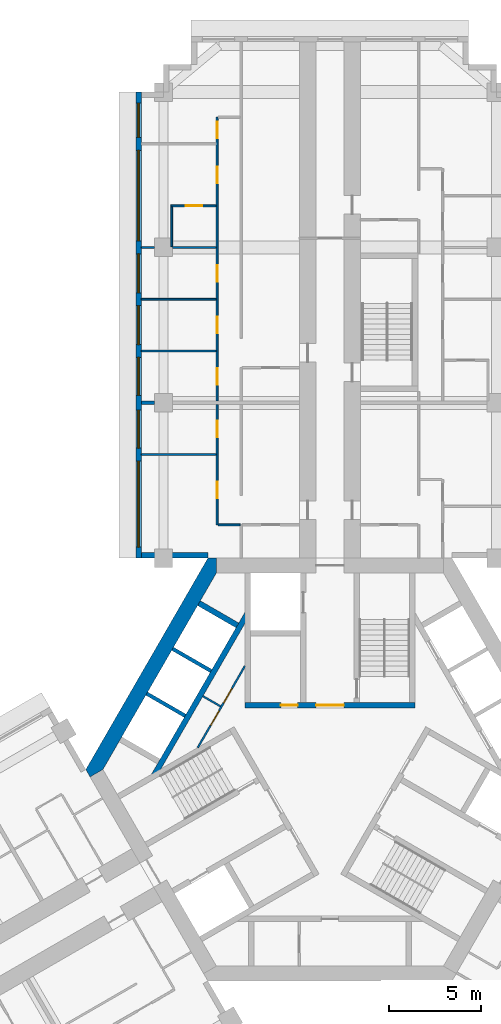
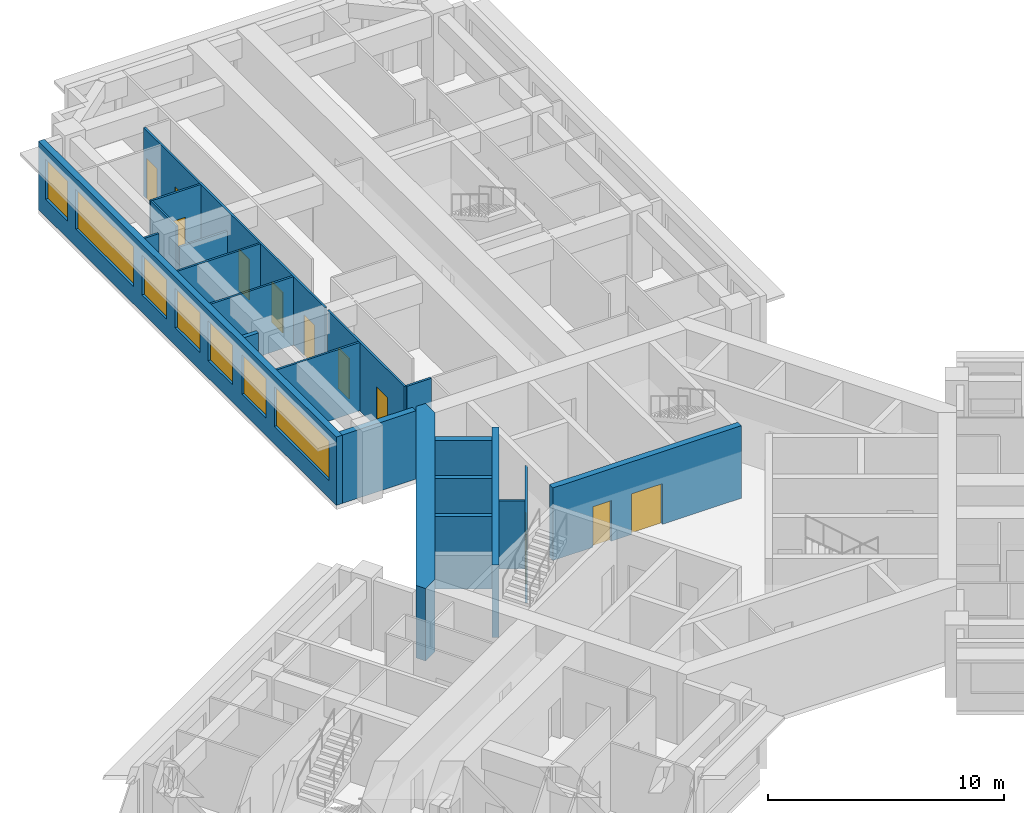
# One storey, part 8 of 14: 21 walls, 12 doors, 7 windows, 19 openings.
"""IFC4 building model written with IfcOpenShell, lengths in metres."""

from ifc_helpers import new_model, si_unit, direction, frame, frame_2d, origin, place, context, subcontext, project, spatial, polyline, rectangle, outline, extrude, material, layer, layer_set, type_object, element, fill, save


model = new_model("IFC4")

# Units and contexts
model_context = context("Model", 3, precision=1e-05, world=origin(), true_north=direction((0.0, 1.0)))
body_context = subcontext(model_context, "Body", "Model", "MODEL_VIEW")
ifc_project = project(units=[si_unit("LENGTHUNIT", "METRE"), si_unit("AREAUNIT", "SQUARE_METRE"), si_unit("VOLUMEUNIT", "CUBIC_METRE"), si_unit("PLANEANGLEUNIT", "RADIAN"), si_unit("MASSUNIT", "GRAM", prefix="KILO")], contexts=[model_context])

# Site, building, storey
site_placement = place(None, origin())
site = spatial("IfcSite", under=ifc_project, at=site_placement, CompositionType="ELEMENT")
building_placement = place(site_placement, origin())
building = spatial("IfcBuilding", under=site, at=building_placement, Name="Impinga Residences", CompositionType="ELEMENT")
storey_placement = place(building_placement, frame((0.0, 0.0, 154.75)))
storey = spatial("IfcBuildingStorey", under=building, at=storey_placement, Name="L38", CompositionType="ELEMENT", Elevation=154.75)

# Wall, openings, doors
ifc_material_1 = material(Name="Concrete blockwork", Category="masonry")
ifc_layer_1 = layer(ifc_material_1, 0.10009765625)
ifc_layer_set_1 = layer_set([ifc_layer_1], Name="CP1 core room partition, blockwork 100")
wall_type_1 = type_object("IfcWallType", Name="CP1 core room partition, blockwork 100", PredefinedType="PARTITIONING", material=ifc_layer_set_1)
wall_1_placement = place(storey_placement, frame((-7.14599609375, 1.185791015625, 0.0), z_axis=(0.0, 0.0, 1.0), x_axis=(0.499975622669, 0.866039477586, 0.0)))
wall_1 = element("IfcWall", 1, at=wall_1_placement, inside=storey, type_object=wall_type_1, Name="Core room partition, blockwork L38:CORE:high:FP", PredefinedType="PARTITIONING", context=body_context, shape_type="SweptSolid", body=[
    extrude(rectangle(XDim=5.092041015625, YDim=0.10009765625, at=frame_2d((2.5458984375, 0.0))), origin(), (0.0, 0.0, 1.0), 3.530029296875),
])
opening_1_placement = place(wall_1_placement, frame((1.39599609375, 0.0, 0.0)))
opening_1 = element("IfcOpeningElement", 2, at=opening_1_placement, cuts=wall_1, Name="Opening D6", PredefinedType="OPENING", context=body_context, shape_type="SweptSolid", body=[
    extrude(rectangle(XDim=0.89990234375, YDim=2.10009765625, at=frame_2d((0.449951171875, 1.050048828125))), frame((0.0, 0.06005859375, 0.0), z_axis=(0.0, -1.0, 0.0), x_axis=(1.0, 0.0, 0.0)), (0.0, 0.0, 1.0), 0.1201171875),
])
opening_2_placement = place(wall_1_placement, frame((2.7958984375, 0.0, 0.0)))
opening_2 = element("IfcOpeningElement", 3, at=opening_2_placement, cuts=wall_1, Name="Opening D6", PredefinedType="OPENING", context=body_context, shape_type="SweptSolid", body=[
    extrude(rectangle(XDim=0.89990234375, YDim=2.10009765625, at=frame_2d((0.449951171875, 1.050048828125))), frame((0.0, 0.06005859375, 0.0), z_axis=(0.0, -1.0, 0.0), x_axis=(1.0, 0.0, 0.0)), (0.0, 0.0, 1.0), 0.1201171875),
])
ifc_material_2 = material(Name="Timber door set", Category="wood")
door_type_1 = type_object("IfcDoorType", Name="D6 riser and store door 900x2100", OperationType="SINGLE_SWING_LEFT", PredefinedType="DOOR", material=ifc_material_2)
door_1_placement = place(opening_1_placement, origin())
door_1 = element("IfcDoor", 4, at=door_1_placement, inside=storey, type_object=door_type_1, Name="Housekeeping store door", OperationType="SINGLE_SWING_LEFT", OverallHeight=2.10009765625, OverallWidth=0.89990234375, PredefinedType="DOOR", context=body_context, shape_type="SweptSolid", body=[
    extrude(rectangle(XDim=0.89990234375, YDim=2.10009765625, at=frame_2d((0.449951171875, 1.050048828125))), frame((0.0, 0.02490234375, 0.0), z_axis=(0.0, -1.0, 0.0), x_axis=(1.0, 0.0, 0.0)), (0.0, 0.0, 1.0), 0.050048828125),
])
fill(opening_1, door_1)
door_2_placement = place(opening_2_placement, origin())
door_2 = element("IfcDoor", 5, at=door_2_placement, inside=storey, type_object=door_type_1, Name="Linen store door", OperationType="SINGLE_SWING_RIGHT", OverallHeight=2.10009765625, OverallWidth=0.89990234375, PredefinedType="DOOR", context=body_context, shape_type="SweptSolid", body=[
    extrude(rectangle(XDim=0.89990234375, YDim=2.10009765625, at=frame_2d((0.449951171875, 1.050048828125))), frame((0.0, 0.02490234375, 0.0), z_axis=(0.0, -1.0, 0.0), x_axis=(1.0, 0.0, 0.0)), (0.0, 0.0, 1.0), 0.050048828125),
])
fill(opening_2, door_2)

# Walls
wall_2_placement = place(storey_placement, frame((-5.916259765625, 3.415771484375, 0.0), z_axis=(0.0, 0.0, 1.0), x_axis=(-0.866008176907, 0.50002983664, 0.0)))
element("IfcWall", 6, at=wall_2_placement, inside=storey, type_object=wall_type_1, Name="Core room partition, blockwork L38:CORE:high:FS", PredefinedType="PARTITIONING", context=body_context, shape_type="SweptSolid", body=[
    extrude(rectangle(XDim=1.10009765625, YDim=0.10009765625, at=frame_2d((0.550048828125, 0.0))), origin(), (0.0, 0.0, 1.0), 3.530029296875),
])
ifc_material_3 = material(Name="Terracotta rainscreen on blockwork", Category="masonry")
ifc_layer_2 = layer(ifc_material_3, 0.300048828125)
ifc_layer_set_2 = layer_set([ifc_layer_2], Name="EW1 external wall, terracotta rainscreen on blockwork 300")
wall_type_2 = type_object("IfcWallType", Name="EW1 external wall, terracotta rainscreen on blockwork 300", PredefinedType="SOLIDWALL", material=ifc_layer_set_2)
wall_3_placement = place(storey_placement, frame((-6.60009765625, 11.58154296875, 0.0), z_axis=(0.0, 0.0, 1.0), x_axis=(-1.0, 0.0, 0.0)))
element("IfcWall", 7, at=wall_3_placement, inside=storey, type_object=wall_type_2, Name="External wall EW1 L38", PredefinedType="SOLIDWALL", context=body_context, shape_type="SweptSolid", body=[
    extrude(rectangle(XDim=3.599853515625, YDim=0.300048828125, at=frame_2d((1.7998046875, 0.0))), origin(), (0.0, 0.0, 1.0), 3.530029296875),
])

# Wall, openings, windows
wall_4_placement = place(storey_placement, frame((-10.35009765625, 11.431640625, 0.0), z_axis=(0.0, 0.0, 1.0), x_axis=(0.0, 1.0, 0.0)))
wall_4 = element("IfcWall", 8, at=wall_4_placement, inside=storey, type_object=wall_type_2, Name="External wall EW1 L38", PredefinedType="SOLIDWALL", context=body_context, shape_type="SweptSolid", body=[
    extrude(rectangle(XDim=25.199951171875, YDim=0.300048828125, at=frame_2d((12.60009765625, 0.0))), origin(), (0.0, 0.0, 1.0), 3.530029296875),
])
opening_3_placement = place(wall_4_placement, frame((0.60009765625, 0.0, 0.89990234375)))
opening_3 = element("IfcOpeningElement", 9, at=opening_3_placement, cuts=wall_4, Name="Opening W10", PredefinedType="OPENING", context=body_context, shape_type="SweptSolid", body=[
    extrude(rectangle(XDim=4.64990234375, YDim=2.050048828125, at=frame_2d((2.324951171875, 1.02490234375))), frame((0.0, 0.159912109375, 0.0), z_axis=(0.0, -1.0, 0.0), x_axis=(1.0, 0.0, 0.0)), (0.0, 0.0, 1.0), 0.320068359375),
])
opening_4_placement = place(wall_4_placement, frame((5.949951171875, 0.0, 0.89990234375)))
opening_4 = element("IfcOpeningElement", 10, at=opening_4_placement, cuts=wall_4, Name="Opening W14", PredefinedType="OPENING", context=body_context, shape_type="SweptSolid", body=[
    extrude(rectangle(XDim=2.050048828125, YDim=2.050048828125, at=frame_2d((1.02490234375, 1.02490234375))), frame((0.0, 0.159912109375, 0.0), z_axis=(0.0, -1.0, 0.0), x_axis=(1.0, 0.0, 0.0)), (0.0, 0.0, 1.0), 0.320068359375),
])
opening_5_placement = place(wall_4_placement, frame((8.800048828125, 0.0, 0.89990234375)))
opening_5 = element("IfcOpeningElement", 11, at=opening_5_placement, cuts=wall_4, Name="Opening W14", PredefinedType="OPENING", context=body_context, shape_type="SweptSolid", body=[
    extrude(rectangle(XDim=2.050048828125, YDim=2.050048828125, at=frame_2d((1.02490234375, 1.02490234375))), frame((0.0, 0.159912109375, 0.0), z_axis=(0.0, -1.0, 0.0), x_axis=(1.0, 0.0, 0.0)), (0.0, 0.0, 1.0), 0.320068359375),
])
opening_6_placement = place(wall_4_placement, frame((11.550048828125, 0.0, 0.89990234375)))
opening_6 = element("IfcOpeningElement", 12, at=opening_6_placement, cuts=wall_4, Name="Opening W9", PredefinedType="OPENING", context=body_context, shape_type="SweptSolid", body=[
    extrude(rectangle(XDim=2.10009765625, YDim=2.050048828125, at=frame_2d((1.050048828125, 1.02490234375))), frame((0.0, 0.159912109375, 0.0), z_axis=(0.0, -1.0, 0.0), x_axis=(1.0, 0.0, 0.0)), (0.0, 0.0, 1.0), 0.320068359375),
])
opening_7_placement = place(wall_4_placement, frame((14.35009765625, 0.0, 0.89990234375)))
opening_7 = element("IfcOpeningElement", 13, at=opening_7_placement, cuts=wall_4, Name="Opening W9", PredefinedType="OPENING", context=body_context, shape_type="SweptSolid", body=[
    extrude(rectangle(XDim=2.10009765625, YDim=2.050048828125, at=frame_2d((1.050048828125, 1.02490234375))), frame((0.0, 0.159912109375, 0.0), z_axis=(0.0, -1.0, 0.0), x_axis=(1.0, 0.0, 0.0)), (0.0, 0.0, 1.0), 0.320068359375),
])
opening_8_placement = place(wall_4_placement, frame((17.14990234375, 0.0, 0.89990234375)))
opening_8 = element("IfcOpeningElement", 14, at=opening_8_placement, cuts=wall_4, Name="Opening W16", PredefinedType="OPENING", context=body_context, shape_type="SweptSolid", body=[
    extrude(rectangle(XDim=4.89990234375, YDim=2.050048828125, at=frame_2d((2.449951171875, 1.02490234375))), frame((0.0, 0.159912109375, 0.0), z_axis=(0.0, -1.0, 0.0), x_axis=(1.0, 0.0, 0.0)), (0.0, 0.0, 1.0), 0.320068359375),
])
opening_9_placement = place(wall_4_placement, frame((22.75, 0.0, 0.89990234375)))
opening_9 = element("IfcOpeningElement", 15, at=opening_9_placement, cuts=wall_4, Name="Opening W15", PredefinedType="OPENING", context=body_context, shape_type="SweptSolid", body=[
    extrude(rectangle(XDim=1.85009765625, YDim=2.050048828125, at=frame_2d((0.925048828125, 1.02490234375))), frame((0.0, 0.159912109375, 0.0), z_axis=(0.0, -1.0, 0.0), x_axis=(1.0, 0.0, 0.0)), (0.0, 0.0, 1.0), 0.320068359375),
])
ifc_material_4 = material(Name="Aluminium window, clear double glazing", Category="aluminium")
window_type_1 = type_object("IfcWindowType", Name="W10 ribbon window 4650x2050", PartitioningType="SINGLE_PANEL", PredefinedType="WINDOW", material=ifc_material_4)
window_1_placement = place(opening_3_placement, origin())
window_1 = element("IfcWindow", 16, at=window_1_placement, inside=storey, type_object=window_type_1, Name="Window L38", OverallHeight=2.050048828125, OverallWidth=4.64990234375, PartitioningType="SINGLE_PANEL", PredefinedType="WINDOW", context=body_context, shape_type="SweptSolid", body=[
    extrude(rectangle(XDim=4.64990234375, YDim=2.050048828125, at=frame_2d((2.324951171875, 1.02490234375))), frame((0.0, 0.030029296875, 0.0), z_axis=(0.0, -1.0, 0.0), x_axis=(1.0, 0.0, 0.0)), (0.0, 0.0, 1.0), 0.06005859375),
])
fill(opening_3, window_1)
window_type_2 = type_object("IfcWindowType", Name="W14 ribbon window 2050x2050", PartitioningType="SINGLE_PANEL", PredefinedType="WINDOW", material=ifc_material_4)
window_2_placement = place(opening_4_placement, origin())
window_2 = element("IfcWindow", 17, at=window_2_placement, inside=storey, type_object=window_type_2, Name="Window L38", OverallHeight=2.050048828125, OverallWidth=2.050048828125, PartitioningType="SINGLE_PANEL", PredefinedType="WINDOW", context=body_context, shape_type="SweptSolid", body=[
    extrude(rectangle(XDim=2.050048828125, YDim=2.050048828125, at=frame_2d((1.02490234375, 1.02490234375))), frame((0.0, 0.030029296875, 0.0), z_axis=(0.0, -1.0, 0.0), x_axis=(1.0, 0.0, 0.0)), (0.0, 0.0, 1.0), 0.06005859375),
])
fill(opening_4, window_2)
window_3_placement = place(opening_5_placement, origin())
window_3 = element("IfcWindow", 18, at=window_3_placement, inside=storey, type_object=window_type_2, Name="Window L38", OverallHeight=2.050048828125, OverallWidth=2.050048828125, PartitioningType="SINGLE_PANEL", PredefinedType="WINDOW", context=body_context, shape_type="SweptSolid", body=[
    extrude(rectangle(XDim=2.050048828125, YDim=2.050048828125, at=frame_2d((1.02490234375, 1.02490234375))), frame((0.0, 0.030029296875, 0.0), z_axis=(0.0, -1.0, 0.0), x_axis=(1.0, 0.0, 0.0)), (0.0, 0.0, 1.0), 0.06005859375),
])
fill(opening_5, window_3)
window_type_3 = type_object("IfcWindowType", Name="W15 ribbon window 1850x2050", PartitioningType="SINGLE_PANEL", PredefinedType="WINDOW", material=ifc_material_4)
window_4_placement = place(opening_9_placement, origin())
window_4 = element("IfcWindow", 19, at=window_4_placement, inside=storey, type_object=window_type_3, Name="Window L38", OverallHeight=2.050048828125, OverallWidth=1.85009765625, PartitioningType="SINGLE_PANEL", PredefinedType="WINDOW", context=body_context, shape_type="SweptSolid", body=[
    extrude(rectangle(XDim=1.85009765625, YDim=2.050048828125, at=frame_2d((0.925048828125, 1.02490234375))), frame((0.0, 0.030029296875, 0.0), z_axis=(0.0, -1.0, 0.0), x_axis=(1.0, 0.0, 0.0)), (0.0, 0.0, 1.0), 0.06005859375),
])
fill(opening_9, window_4)
window_type_4 = type_object("IfcWindowType", Name="W16 ribbon window 4900x2050", PartitioningType="SINGLE_PANEL", PredefinedType="WINDOW", material=ifc_material_4)
window_5_placement = place(opening_8_placement, origin())
window_5 = element("IfcWindow", 20, at=window_5_placement, inside=storey, type_object=window_type_4, Name="Window L38", OverallHeight=2.050048828125, OverallWidth=4.89990234375, PartitioningType="SINGLE_PANEL", PredefinedType="WINDOW", context=body_context, shape_type="SweptSolid", body=[
    extrude(rectangle(XDim=4.89990234375, YDim=2.050048828125, at=frame_2d((2.449951171875, 1.02490234375))), frame((0.0, 0.030029296875, 0.0), z_axis=(0.0, -1.0, 0.0), x_axis=(1.0, 0.0, 0.0)), (0.0, 0.0, 1.0), 0.06005859375),
])
fill(opening_8, window_5)
window_type_5 = type_object("IfcWindowType", Name="W9 ribbon window 2100x2050", PartitioningType="SINGLE_PANEL", PredefinedType="WINDOW", material=ifc_material_4)
window_6_placement = place(opening_6_placement, origin())
window_6 = element("IfcWindow", 21, at=window_6_placement, inside=storey, type_object=window_type_5, Name="Window L38", OverallHeight=2.050048828125, OverallWidth=2.10009765625, PartitioningType="SINGLE_PANEL", PredefinedType="WINDOW", context=body_context, shape_type="SweptSolid", body=[
    extrude(rectangle(XDim=2.10009765625, YDim=2.050048828125, at=frame_2d((1.050048828125, 1.02490234375))), frame((0.0, 0.030029296875, 0.0), z_axis=(0.0, -1.0, 0.0), x_axis=(1.0, 0.0, 0.0)), (0.0, 0.0, 1.0), 0.06005859375),
])
fill(opening_6, window_6)
window_7_placement = place(opening_7_placement, origin())
window_7 = element("IfcWindow", 22, at=window_7_placement, inside=storey, type_object=window_type_5, Name="Window L38", OverallHeight=2.050048828125, OverallWidth=2.10009765625, PartitioningType="SINGLE_PANEL", PredefinedType="WINDOW", context=body_context, shape_type="SweptSolid", body=[
    extrude(rectangle(XDim=2.10009765625, YDim=2.050048828125, at=frame_2d((1.050048828125, 1.02490234375))), frame((0.0, 0.030029296875, 0.0), z_axis=(0.0, -1.0, 0.0), x_axis=(1.0, 0.0, 0.0)), (0.0, 0.0, 1.0), 0.06005859375),
])
fill(opening_7, window_7)

# Wall, openings, doors
ifc_material_5 = material(Name="Gypsum board on steel studs", Category="steel")
ifc_layer_3 = layer(ifc_material_5, 0.10009765625)
ifc_layer_set_3 = layer_set([ifc_layer_3], Name="Gypsum board on steel studs")
wall_type_3 = type_object("IfcWallType", Name="IP1 partition 100", PredefinedType="PARTITIONING", material=ifc_layer_set_3)
wall_5_placement = place(storey_placement, frame((-6.10009765625, 13.2314453125, 0.0), z_axis=(0.0, 0.0, 1.0), x_axis=(0.0, 1.0, 0.0)))
wall_5 = element("IfcWall", 23, at=wall_5_placement, inside=storey, type_object=wall_type_3, Name="Partition L38-NA1:STRIP", PredefinedType="PARTITIONING", context=body_context, shape_type="SweptSolid", body=[
    extrude(rectangle(XDim=6.5, YDim=0.10009765625, at=frame_2d((3.25, 0.0))), origin(), (0.0, 0.0, 1.0), 3.530029296875),
])
opening_10_placement = place(wall_5_placement, frame((1.425048828125, 0.0, 0.0)))
opening_10 = element("IfcOpeningElement", 24, at=opening_10_placement, cuts=wall_5, Name="Opening D2", PredefinedType="OPENING", context=body_context, shape_type="SweptSolid", body=[
    extrude(rectangle(XDim=0.89990234375, YDim=2.10009765625, at=frame_2d((0.449951171875, 1.050048828125))), frame((0.0, 0.06005859375, 0.0), z_axis=(0.0, -1.0, 0.0), x_axis=(1.0, 0.0, 0.0)), (0.0, 0.0, 1.0), 0.1201171875),
])
opening_11_placement = place(wall_5_placement, frame((4.72509765625, 0.0, 0.0)))
opening_11 = element("IfcOpeningElement", 25, at=opening_11_placement, cuts=wall_5, Name="Opening D2", PredefinedType="OPENING", context=body_context, shape_type="SweptSolid", body=[
    extrude(rectangle(XDim=0.89990234375, YDim=2.10009765625, at=frame_2d((0.449951171875, 1.050048828125))), frame((0.0, 0.06005859375, 0.0), z_axis=(0.0, -1.0, 0.0), x_axis=(1.0, 0.0, 0.0)), (0.0, 0.0, 1.0), 0.1201171875),
])
door_type_2 = type_object("IfcDoorType", Name="D2 internal door 900x2100", OperationType="SINGLE_SWING_LEFT", PredefinedType="DOOR", material=ifc_material_2)
door_3_placement = place(opening_10_placement, origin())
door_3 = element("IfcDoor", 26, at=door_3_placement, inside=storey, type_object=door_type_2, Name="Apartment L38-NA1 room door", OperationType="SINGLE_SWING_LEFT", OverallHeight=2.10009765625, OverallWidth=0.89990234375, PredefinedType="DOOR", context=body_context, shape_type="SweptSolid", body=[
    extrude(rectangle(XDim=0.89990234375, YDim=2.10009765625, at=frame_2d((0.449951171875, 1.050048828125))), frame((0.0, 0.02490234375, 0.0), z_axis=(0.0, -1.0, 0.0), x_axis=(1.0, 0.0, 0.0)), (0.0, 0.0, 1.0), 0.050048828125),
])
fill(opening_10, door_3)
door_4_placement = place(opening_11_placement, origin())
door_4 = element("IfcDoor", 27, at=door_4_placement, inside=storey, type_object=door_type_2, Name="Apartment L38-NA1 room door", OperationType="SINGLE_SWING_RIGHT", OverallHeight=2.10009765625, OverallWidth=0.89990234375, PredefinedType="DOOR", context=body_context, shape_type="SweptSolid", body=[
    extrude(rectangle(XDim=0.89990234375, YDim=2.10009765625, at=frame_2d((0.449951171875, 1.050048828125))), frame((0.0, 0.02490234375, 0.0), z_axis=(0.0, -1.0, 0.0), x_axis=(1.0, 0.0, 0.0)), (0.0, 0.0, 1.0), 0.050048828125),
])
fill(opening_11, door_4)

# Walls
wall_6_placement = place(storey_placement, frame((-4.85009765625, 13.2314453125, 0.0), z_axis=(0.0, 0.0, 1.0), x_axis=(-1.0, 0.0, 0.0)))
element("IfcWall", 28, at=wall_6_placement, inside=storey, type_object=wall_type_3, Name="Partition L38-NA1:SE0", PredefinedType="PARTITIONING", context=body_context, shape_type="SweptSolid", body=[
    extrude(rectangle(XDim=1.199951171875, YDim=0.10009765625, at=frame_2d((0.60009765625, 0.0))), origin(), (0.0, 0.0, 1.0), 3.530029296875),
])
wall_7_placement = place(storey_placement, frame((-6.14990234375, 17.031494140625, 0.0), z_axis=(0.0, 0.0, 1.0), x_axis=(-1.0, 0.0, 0.0)))
element("IfcWall", 29, at=wall_7_placement, inside=storey, type_object=wall_type_3, Name="Partition L38-NA1:OB1", PredefinedType="PARTITIONING", context=body_context, shape_type="SweptSolid", body=[
    extrude(rectangle(XDim=4.050048828125, YDim=0.10009765625, at=frame_2d((2.02490234375, 0.0))), origin(), (0.0, 0.0, 1.0), 3.530029296875),
])

# Wall, openings, doors
wall_8_placement = place(storey_placement, frame((-6.10009765625, 19.931640625, 0.0), z_axis=(0.0, 0.0, 1.0), x_axis=(0.0, 1.0, 0.0)))
wall_8 = element("IfcWall", 30, at=wall_8_placement, inside=storey, type_object=wall_type_3, Name="Partition L38-NA2:STRIP", PredefinedType="PARTITIONING", context=body_context, shape_type="SweptSolid", body=[
    extrude(rectangle(XDim=15.349853515625, YDim=0.10009765625, at=frame_2d((7.6748046875, 0.0))), origin(), (0.0, 0.0, 1.0), 3.530029296875),
])
opening_12_placement = place(wall_8_placement, frame((0.875, 0.0, 0.0)))
opening_12 = element("IfcOpeningElement", 31, at=opening_12_placement, cuts=wall_8, Name="Opening D2", PredefinedType="OPENING", context=body_context, shape_type="SweptSolid", body=[
    extrude(rectangle(XDim=0.89990234375, YDim=2.10009765625, at=frame_2d((0.449951171875, 1.050048828125))), frame((0.0, 0.06005859375, 0.0), z_axis=(0.0, -1.0, 0.0), x_axis=(1.0, 0.0, 0.0)), (0.0, 0.0, 1.0), 0.1201171875),
])
opening_13_placement = place(wall_8_placement, frame((3.64990234375, 0.0, 0.0)))
opening_13 = element("IfcOpeningElement", 32, at=opening_13_placement, cuts=wall_8, Name="Opening D2", PredefinedType="OPENING", context=body_context, shape_type="SweptSolid", body=[
    extrude(rectangle(XDim=0.89990234375, YDim=2.10009765625, at=frame_2d((0.449951171875, 1.050048828125))), frame((0.0, 0.06005859375, 0.0), z_axis=(0.0, -1.0, 0.0), x_axis=(1.0, 0.0, 0.0)), (0.0, 0.0, 1.0), 0.1201171875),
])
opening_14_placement = place(wall_8_placement, frame((6.449951171875, 0.0, 0.0)))
opening_14 = element("IfcOpeningElement", 33, at=opening_14_placement, cuts=wall_8, Name="Opening D2", PredefinedType="OPENING", context=body_context, shape_type="SweptSolid", body=[
    extrude(rectangle(XDim=0.89990234375, YDim=2.10009765625, at=frame_2d((0.449951171875, 1.050048828125))), frame((0.0, 0.06005859375, 0.0), z_axis=(0.0, -1.0, 0.0), x_axis=(1.0, 0.0, 0.0)), (0.0, 0.0, 1.0), 0.1201171875),
])
opening_15_placement = place(wall_8_placement, frame((11.77490234375, 0.0, 0.0)))
opening_15 = element("IfcOpeningElement", 34, at=opening_15_placement, cuts=wall_8, Name="Opening D2", PredefinedType="OPENING", context=body_context, shape_type="SweptSolid", body=[
    extrude(rectangle(XDim=0.89990234375, YDim=2.10009765625, at=frame_2d((0.449951171875, 1.050048828125))), frame((0.0, 0.06005859375, 0.0), z_axis=(0.0, -1.0, 0.0), x_axis=(1.0, 0.0, 0.0)), (0.0, 0.0, 1.0), 0.1201171875),
])
opening_16_placement = place(wall_8_placement, frame((14.199951171875, 0.0, 0.0)))
opening_16 = element("IfcOpeningElement", 35, at=opening_16_placement, cuts=wall_8, Name="Opening D2", PredefinedType="OPENING", context=body_context, shape_type="SweptSolid", body=[
    extrude(rectangle(XDim=0.89990234375, YDim=2.10009765625, at=frame_2d((0.449951171875, 1.050048828125))), frame((0.0, 0.06005859375, 0.0), z_axis=(0.0, -1.0, 0.0), x_axis=(1.0, 0.0, 0.0)), (0.0, 0.0, 1.0), 0.1201171875),
])
door_5_placement = place(opening_12_placement, origin())
door_5 = element("IfcDoor", 36, at=door_5_placement, inside=storey, type_object=door_type_2, Name="Apartment L38-NA2 room door", OperationType="SINGLE_SWING_LEFT", OverallHeight=2.10009765625, OverallWidth=0.89990234375, PredefinedType="DOOR", context=body_context, shape_type="SweptSolid", body=[
    extrude(rectangle(XDim=0.89990234375, YDim=2.10009765625, at=frame_2d((0.449951171875, 1.050048828125))), frame((0.0, 0.02490234375, 0.0), z_axis=(0.0, -1.0, 0.0), x_axis=(1.0, 0.0, 0.0)), (0.0, 0.0, 1.0), 0.050048828125),
])
fill(opening_12, door_5)
door_6_placement = place(opening_13_placement, origin())
door_6 = element("IfcDoor", 37, at=door_6_placement, inside=storey, type_object=door_type_2, Name="Apartment L38-NA2 room door", OperationType="SINGLE_SWING_LEFT", OverallHeight=2.10009765625, OverallWidth=0.89990234375, PredefinedType="DOOR", context=body_context, shape_type="SweptSolid", body=[
    extrude(rectangle(XDim=0.89990234375, YDim=2.10009765625, at=frame_2d((0.449951171875, 1.050048828125))), frame((0.0, 0.02490234375, 0.0), z_axis=(0.0, -1.0, 0.0), x_axis=(1.0, 0.0, 0.0)), (0.0, 0.0, 1.0), 0.050048828125),
])
fill(opening_13, door_6)
door_7_placement = place(opening_14_placement, origin())
door_7 = element("IfcDoor", 38, at=door_7_placement, inside=storey, type_object=door_type_2, Name="Apartment L38-NA2 room door", OperationType="SINGLE_SWING_LEFT", OverallHeight=2.10009765625, OverallWidth=0.89990234375, PredefinedType="DOOR", context=body_context, shape_type="SweptSolid", body=[
    extrude(rectangle(XDim=0.89990234375, YDim=2.10009765625, at=frame_2d((0.449951171875, 1.050048828125))), frame((0.0, 0.02490234375, 0.0), z_axis=(0.0, -1.0, 0.0), x_axis=(1.0, 0.0, 0.0)), (0.0, 0.0, 1.0), 0.050048828125),
])
fill(opening_14, door_7)
door_8_placement = place(opening_15_placement, origin())
door_8 = element("IfcDoor", 39, at=door_8_placement, inside=storey, type_object=door_type_2, Name="Apartment L38-NA2 room door", OperationType="SINGLE_SWING_RIGHT", OverallHeight=2.10009765625, OverallWidth=0.89990234375, PredefinedType="DOOR", context=body_context, shape_type="SweptSolid", body=[
    extrude(rectangle(XDim=0.89990234375, YDim=2.10009765625, at=frame_2d((0.449951171875, 1.050048828125))), frame((0.0, 0.02490234375, 0.0), z_axis=(0.0, -1.0, 0.0), x_axis=(1.0, 0.0, 0.0)), (0.0, 0.0, 1.0), 0.050048828125),
])
fill(opening_15, door_8)
door_9_placement = place(opening_16_placement, origin())
door_9 = element("IfcDoor", 40, at=door_9_placement, inside=storey, type_object=door_type_2, Name="Apartment L38-NA2 room door", OperationType="SINGLE_SWING_RIGHT", OverallHeight=2.10009765625, OverallWidth=0.89990234375, PredefinedType="DOOR", context=body_context, shape_type="SweptSolid", body=[
    extrude(rectangle(XDim=0.89990234375, YDim=2.10009765625, at=frame_2d((0.449951171875, 1.050048828125))), frame((0.0, 0.02490234375, 0.0), z_axis=(0.0, -1.0, 0.0), x_axis=(1.0, 0.0, 0.0)), (0.0, 0.0, 1.0), 0.050048828125),
])
fill(opening_16, door_9)

# Walls
for number, where, z_axis, x_axis, name in (
    (41, (-6.14990234375, 22.631591796875, 0.0), (0.0, 0.0, 1.0), (-1.0, 0.0, 0.0), "Partition L38-NA2:OB1"),
    (42, (-6.14990234375, 25.431640625, 0.0), (0.0, 0.0, 1.0), (-1.0, 0.0, 0.0), "Partition L38-NA2:OB2"),
):
    element("IfcWall", number, at=place(storey_placement, frame(where, z_axis=z_axis, x_axis=x_axis)), inside=storey, type_object=wall_type_3, Name=name, PredefinedType="PARTITIONING", context=body_context, shape_type="SweptSolid", body=[
        extrude(rectangle(XDim=4.050048828125, YDim=0.10009765625, at=frame_2d((2.02490234375, 0.0))), origin(), (0.0, 0.0, 1.0), 3.530029296875),
    ])
wall_9_placement = place(storey_placement, frame((-6.14990234375, 28.2314453125, 0.0), z_axis=(0.0, 0.0, 1.0), x_axis=(-1.0, 0.0, 0.0)))
element("IfcWall", 43, at=wall_9_placement, inside=storey, type_object=wall_type_3, Name="Partition L38-NA2:OB3", PredefinedType="PARTITIONING", context=body_context, shape_type="SweptSolid", body=[
    extrude(rectangle(XDim=2.35009765625, YDim=0.10009765625, at=frame_2d((1.175048828125, 0.0))), origin(), (0.0, 0.0, 1.0), 2.47998046875),
])
wall_10_placement = place(storey_placement, frame((-9.5, 28.2314453125, 0.0), z_axis=(0.0, 0.0, 1.0), x_axis=(-1.0, 0.0, 0.0)))
element("IfcWall", 44, at=wall_10_placement, inside=storey, type_object=wall_type_3, Name="Partition L38-NA2:OB3b", PredefinedType="PARTITIONING", context=body_context, shape_type="SweptSolid", body=[
    extrude(rectangle(XDim=0.699951171875, YDim=0.10009765625, at=frame_2d((0.35009765625, 0.0))), origin(), (0.0, 0.0, 1.0), 3.530029296875),
])

# Wall, opening, door
wall_11_placement = place(storey_placement, frame((-6.14990234375, 30.4814453125, 0.0), z_axis=(0.0, 0.0, 1.0), x_axis=(-1.0, 0.0, 0.0)))
wall_11 = element("IfcWall", 45, at=wall_11_placement, inside=storey, type_object=wall_type_3, Name="Partition L38-NA2:EN1", PredefinedType="PARTITIONING", context=body_context, shape_type="SweptSolid", body=[
    extrude(rectangle(XDim=2.4501953125, YDim=0.10009765625, at=frame_2d((1.22509765625, 0.0))), origin(), (0.0, 0.0, 1.0), 3.530029296875),
])
opening_17_placement = place(wall_11_placement, frame((0.75, 0.0, 0.0)))
opening_17 = element("IfcOpeningElement", 46, at=opening_17_placement, cuts=wall_11, Name="Opening D2", PredefinedType="OPENING", context=body_context, shape_type="SweptSolid", body=[
    extrude(rectangle(XDim=0.89990234375, YDim=2.10009765625, at=frame_2d((0.449951171875, 1.050048828125))), frame((0.0, 0.06005859375, 0.0), z_axis=(0.0, -1.0, 0.0), x_axis=(1.0, 0.0, 0.0)), (0.0, 0.0, 1.0), 0.1201171875),
])
door_10_placement = place(opening_17_placement, origin())
door_10 = element("IfcDoor", 47, at=door_10_placement, inside=storey, type_object=door_type_2, Name="Apartment L38-NA2 en-suite door", OperationType="SINGLE_SWING_LEFT", OverallHeight=2.10009765625, OverallWidth=0.89990234375, PredefinedType="DOOR", context=body_context, shape_type="SweptSolid", body=[
    extrude(rectangle(XDim=0.89990234375, YDim=2.10009765625, at=frame_2d((0.449951171875, 1.050048828125))), frame((0.0, 0.02490234375, 0.0), z_axis=(0.0, -1.0, 0.0), x_axis=(1.0, 0.0, 0.0)), (0.0, 0.0, 1.0), 0.050048828125),
])
fill(opening_17, door_10)

# Walls
wall_12_placement = place(storey_placement, frame((-8.550048828125, 28.281494140625, 0.0), z_axis=(0.0, 0.0, 1.0), x_axis=(0.0, 1.0, 0.0)))
element("IfcWall", 48, at=wall_12_placement, inside=storey, type_object=wall_type_3, Name="Partition L38-NA2:EN2", PredefinedType="PARTITIONING", context=body_context, shape_type="SweptSolid", body=[
    extrude(rectangle(XDim=2.150146484375, YDim=0.10009765625, at=frame_2d((1.0751953125, 0.0))), origin(), (0.0, 0.0, 1.0), 3.530029296875),
])
ifc_layer_4 = layer(ifc_material_1, 0.199951171875)
ifc_layer_set_4 = layer_set([ifc_layer_4], Name="PW1 party wall between apartments 200")
wall_type_4 = type_object("IfcWallType", Name="PW1 party wall between apartments 200", PredefinedType="SOLIDWALL", material=ifc_layer_set_4)
wall_13_placement = place(storey_placement, frame((-9.5, 19.83154296875, 0.0), z_axis=(0.0, 0.0, 1.0), x_axis=(-1.0, 0.0, 0.0)))
element("IfcWall", 49, at=wall_13_placement, inside=storey, type_object=wall_type_4, Name="Party wall between apartments L38-NA1:PARTYb", PredefinedType="SOLIDWALL", context=body_context, shape_type="SweptSolid", body=[
    extrude(rectangle(XDim=0.699951171875, YDim=0.199951171875, at=frame_2d((0.35009765625, 0.0))), origin(), (0.0, 0.0, 1.0), 3.530029296875),
])
ifc_material_6 = material(Name="Concrete C60/75", Category="concrete")
ifc_layer_5 = layer(ifc_material_6, 0.800048828125)
ifc_layer_set_5 = layer_set([ifc_layer_5], Name="Concrete C60/75")
wall_type_5 = type_object("IfcWallType", Name="SW2 core wall 800", PredefinedType="SHEAR", material=ifc_layer_set_5)
wall_14_placement = place(storey_placement, origin())
element("IfcWall", 50, at=wall_14_placement, inside=storey, type_object=wall_type_5, Name="Core wall SW2 E:EXPOSED L38", PredefinedType="SHEAR", context=body_context, shape_type="SweptSolid", body=[
    extrude(outline(polyline([(-6.60009765625, 11.431640625), (-13.199951171875, 0.0), (-12.968994140625, -0.39990234375), (-12.276123046875, 0.0), (-6.13818359375, 10.631591796875), (-6.13818359375, 11.431640625), (-6.60009765625, 11.431640625)])), origin(), (0.0, 0.0, 1.0), 3.75),
])

# Wall, openings, doors
ifc_material_7 = material(Name="Concrete C70/85", Category="concrete")
ifc_layer_6 = layer(ifc_material_7, 0.300048828125)
ifc_layer_set_6 = layer_set([ifc_layer_6], Name="Concrete C70/85")
wall_type_6 = type_object("IfcWallType", Name="SW5 core inner wall, stairs, shafts and lobbies 300", PredefinedType="SHEAR", material=ifc_layer_set_6)
wall_15_placement = place(storey_placement, frame((-4.60009765625, 3.47998046875, 0.0), z_axis=(0.0, 0.0, 1.0), x_axis=(1.0, 0.0, 0.0)))
wall_15 = element("IfcWall", 51, at=wall_15_placement, inside=storey, type_object=wall_type_6, Name="Core wall SW5 N:ZONE L38", PredefinedType="SHEAR", context=body_context, shape_type="SweptSolid", body=[
    extrude(rectangle(XDim=9.2001953125, YDim=0.300048828125, at=frame_2d((4.60009765625, 0.0))), origin(), (0.0, 0.0, 1.0), 3.75),
])
opening_18_placement = place(wall_15_placement, frame((3.85009765625, 0.0, 0.0)))
opening_18 = element("IfcOpeningElement", 52, at=opening_18_placement, cuts=wall_15, Name="Opening D4", PredefinedType="OPENING", context=body_context, shape_type="SweptSolid", body=[
    extrude(rectangle(XDim=1.5, YDim=2.10009765625, at=frame_2d((0.75, 1.050048828125))), frame((0.0, 0.159912109375, 0.0), z_axis=(0.0, -1.0, 0.0), x_axis=(1.0, 0.0, 0.0)), (0.0, 0.0, 1.0), 0.320068359375),
])
opening_19_placement = place(wall_15_placement, frame((1.949951171875, 0.0, 0.0)))
opening_19 = element("IfcOpeningElement", 53, at=opening_19_placement, cuts=wall_15, Name="Opening D6", PredefinedType="OPENING", context=body_context, shape_type="SweptSolid", body=[
    extrude(rectangle(XDim=0.89990234375, YDim=2.10009765625, at=frame_2d((0.449951171875, 1.050048828125))), frame((0.0, 0.159912109375, 0.0), z_axis=(0.0, -1.0, 0.0), x_axis=(1.0, 0.0, 0.0)), (0.0, 0.0, 1.0), 0.320068359375),
])
door_type_3 = type_object("IfcDoorType", Name="D4 lobby door pair 1500x2100", OperationType="DOUBLE_DOOR_DOUBLE_SWING", PredefinedType="DOOR", material=ifc_material_2)
door_11_placement = place(opening_18_placement, origin())
door_11 = element("IfcDoor", 54, at=door_11_placement, inside=storey, type_object=door_type_3, Name="Firefighting lobby door N", OperationType="DOUBLE_DOOR_DOUBLE_SWING", OverallHeight=2.10009765625, OverallWidth=1.5, PredefinedType="DOOR", context=body_context, shape_type="SweptSolid", body=[
    extrude(rectangle(XDim=1.5, YDim=2.10009765625, at=frame_2d((0.75, 1.050048828125))), frame((0.0, 0.02490234375, 0.0), z_axis=(0.0, -1.0, 0.0), x_axis=(1.0, 0.0, 0.0)), (0.0, 0.0, 1.0), 0.050048828125),
])
fill(opening_18, door_11)
door_12_placement = place(opening_19_placement, origin())
door_12 = element("IfcDoor", 55, at=door_12_placement, inside=storey, type_object=door_type_1, Name="Riser door N", OperationType="SINGLE_SWING_LEFT", OverallHeight=2.10009765625, OverallWidth=0.89990234375, PredefinedType="DOOR", context=body_context, shape_type="SweptSolid", body=[
    extrude(rectangle(XDim=0.89990234375, YDim=2.10009765625, at=frame_2d((0.449951171875, 1.050048828125))), frame((0.0, 0.02490234375, 0.0), z_axis=(0.0, -1.0, 0.0), x_axis=(1.0, 0.0, 0.0)), (0.0, 0.0, 1.0), 0.050048828125),
])
fill(opening_19, door_12)

# Walls
wall_16_placement = place(storey_placement, frame((-9.547607421875, -0.3740234375, 0.0), z_axis=(0.0, 0.0, 1.0), x_axis=(0.500002290144, 0.866024081565, 0.0)))
element("IfcWall", 56, at=wall_16_placement, inside=storey, type_object=wall_type_6, Name="Core wall SW5 E:BANK-FRONT L38", PredefinedType="SHEAR", context=body_context, shape_type="SweptSolid", body=[
    extrude(rectangle(XDim=10.1953125, YDim=0.300048828125, at=frame_2d((5.09765625, 0.0))), origin(), (0.0, 0.0, 1.0), 3.75),
])
wall_17_placement = place(storey_placement, frame((-5.003662109375, 7.79638671875, 0.0), z_axis=(0.0, 0.0, 1.0), x_axis=(-0.866050077142, 0.499957262057, 0.0)))
element("IfcWall", 57, at=wall_17_placement, inside=storey, type_object=wall_type_6, Name="Core wall SW5 E:BANK-R L38", PredefinedType="SHEAR", context=body_context, shape_type="SweptSolid", body=[
    extrude(rectangle(XDim=2.400146484375, YDim=0.300048828125, at=frame_2d((1.2001953125, 0.0))), origin(), (0.0, 0.0, 1.0), 3.75),
])
ifc_layer_7 = layer(ifc_material_7, 0.199951171875)
ifc_layer_set_7 = layer_set([ifc_layer_7], Name="Concrete C70/85")
wall_type_7 = type_object("IfcWallType", Name="SW6 lift shaft divider wall 200", PredefinedType="SHEAR", material=ifc_layer_set_7)
wall_18_placement = place(storey_placement, frame((-7.82861328125, 2.9033203125, 0.0), z_axis=(0.0, 0.0, 1.0), x_axis=(-0.866050077142, 0.499957262057, 0.0)))
element("IfcWall", 58, at=wall_18_placement, inside=storey, type_object=wall_type_7, Name="Core wall SW6 E:BANK-D1 L38", PredefinedType="SHEAR", context=body_context, shape_type="SweptSolid", body=[
    extrude(rectangle(XDim=2.400146484375, YDim=0.199951171875, at=frame_2d((1.2001953125, 0.0))), origin(), (0.0, 0.0, 1.0), 3.75),
])
wall_19_placement = place(storey_placement, frame((-6.4287109375, 5.328125, 0.0), z_axis=(0.0, 0.0, 1.0), x_axis=(-0.865980596518, 0.500077600433, 0.0)))
element("IfcWall", 59, at=wall_19_placement, inside=storey, type_object=wall_type_7, Name="Core wall SW6 E:BANK-D2 L38", PredefinedType="SHEAR", context=body_context, shape_type="SweptSolid", body=[
    extrude(rectangle(XDim=2.39990234375, YDim=0.199951171875, at=frame_2d((1.199951171875, 0.0))), origin(), (0.0, 0.0, 1.0), 3.75),
])

save(model, "model.ifc")
